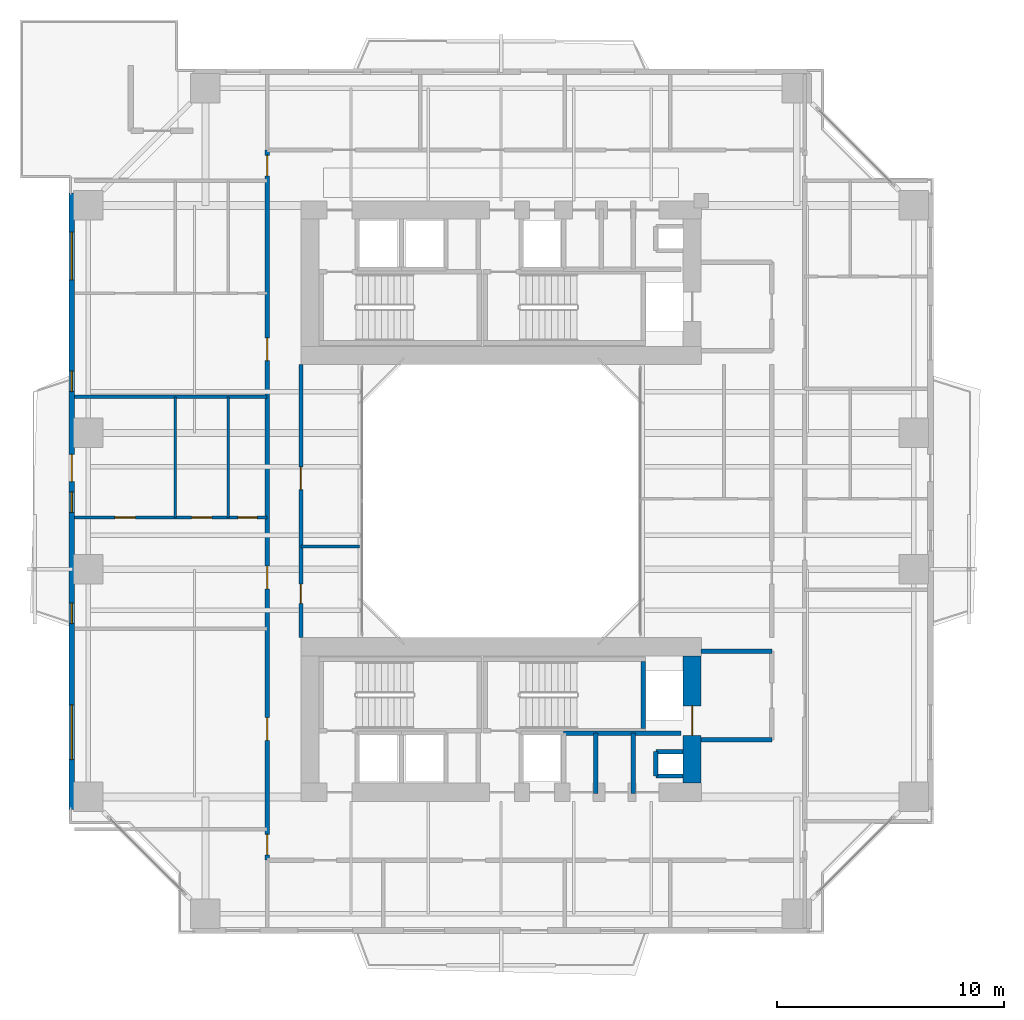
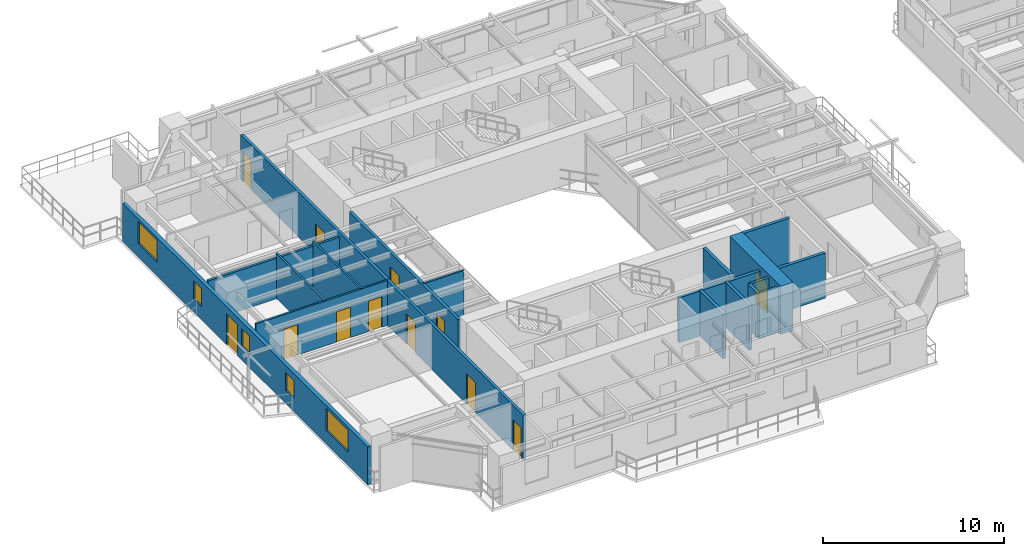
# One storey, part 13 of 24: 18 walls, 12 doors, 5 windows, 17 openings.
"""IFC4 building model written with IfcOpenShell, lengths in metres."""

from ifc_helpers import new_model, si_unit, direction, frame, frame_2d, origin, place, context, subcontext, project, spatial, rectangle, extrude, source, transform, mapped, material, layer, layer_set, type_object, element, fill, save


model = new_model("IFC4")

# Units and contexts
model_context = context("Model", 3, precision=1e-05, world=origin(), true_north=direction((0.0, 1.0)))
body_context = subcontext(model_context, "Body", "Model", "MODEL_VIEW")
ifc_project = project(units=[si_unit("LENGTHUNIT", "METRE"), si_unit("AREAUNIT", "SQUARE_METRE"), si_unit("VOLUMEUNIT", "CUBIC_METRE"), si_unit("PLANEANGLEUNIT", "RADIAN"), si_unit("MASSUNIT", "GRAM", prefix="KILO"), si_unit("THERMODYNAMICTEMPERATUREUNIT", "KELVIN"), si_unit("POWERUNIT", "WATT")], contexts=[model_context])

# Site, building, storey
site_placement = place(None, origin())
site = spatial("IfcSite", under=ifc_project, at=site_placement, CompositionType="ELEMENT")
building_placement = place(site_placement, origin())
building = spatial("IfcBuilding", under=site, at=building_placement, Name="Qiaomeng Ring Towers", CompositionType="ELEMENT")
storey_placement = place(building_placement, frame((0.0, 0.0, 42.5)))
storey = spatial("IfcBuildingStorey", under=building, at=storey_placement, Name="L11", CompositionType="ELEMENT", Elevation=42.5)

# Wall, openings, windows, door
ifc_material_1 = material(Name="Precast concrete C40", Category="concrete")
ifc_layer_1 = layer(ifc_material_1, 0.25, Name="Precast concrete C40")
ifc_layer_set_1 = layer_set([ifc_layer_1], Name="Precast concrete C40")
wall_type_1 = type_object("IfcWallType", Name="ARC-WL-EW1", PredefinedType="STANDARD", material=ifc_layer_set_1)
wall_1_placement = place(storey_placement, frame((0.125, 9.449951171875, 0.0), z_axis=(0.0, 0.0, 1.0), x_axis=(0.0, 1.0, 0.0)))
wall_1 = element("IfcWall", 1, at=wall_1_placement, inside=storey, type_object=wall_type_1, Name="L11 Tower 1 W Exterior Wall", PredefinedType="STANDARD", context=body_context, shape_type="SweptSolid", body=[
    extrude(rectangle(XDim=27.10009765625, YDim=0.25, at=frame_2d((13.550048828125, 0.0))), origin(), (0.0, 0.0, 1.0), 2.570068359375),
])
opening_1_placement = place(wall_1_placement, frame((14.39990234375, 0.0, 0.0)))
opening_1 = element("IfcOpeningElement", 2, at=opening_1_placement, cuts=wall_1, Name="Opening BD1", PredefinedType="OPENING", context=body_context, shape_type="SweptSolid", body=[
    extrude(rectangle(XDim=1.199951171875, YDim=2.10009765625, at=frame_2d((0.60009765625, 1.050048828125))), frame((0.0, 0.135009765625, 0.0), z_axis=(0.0, -1.0, 0.0), x_axis=(1.0, 0.0, 0.0)), (0.0, 0.0, 1.0), 0.27001953125),
])
opening_2_placement = place(wall_1_placement, frame((2.18798828125, 0.0, 0.89990234375)))
opening_2 = element("IfcOpeningElement", 3, at=opening_2_placement, cuts=wall_1, Name="Opening WN6", PredefinedType="OPENING", context=body_context, shape_type="SweptSolid", body=[
    extrude(rectangle(XDim=2.39990234375, YDim=1.47998046875, at=frame_2d((1.199951171875, 0.739990234375))), frame((0.0, 0.135009765625, 0.0), z_axis=(0.0, -1.0, 0.0), x_axis=(1.0, 0.0, 0.0)), (0.0, 0.0, 1.0), 0.27001953125),
])
opening_3_placement = place(wall_1_placement, frame((23.2724609375, 0.0, 0.89990234375)))
opening_3 = element("IfcOpeningElement", 4, at=opening_3_placement, cuts=wall_1, Name="Opening WN4", PredefinedType="OPENING", context=body_context, shape_type="SweptSolid", body=[
    extrude(rectangle(XDim=2.10009765625, YDim=1.5, at=frame_2d((1.050048828125, 0.75))), frame((0.0, 0.135009765625, 0.0), z_axis=(0.0, -1.0, 0.0), x_axis=(1.0, 0.0, 0.0)), (0.0, 0.0, 1.0), 0.27001953125),
])
opening_4_placement = place(wall_1_placement, frame((13.050048828125, 0.0, 0.89990234375)))
opening_4 = element("IfcOpeningElement", 5, at=opening_4_placement, cuts=wall_1, Name="Opening WN5", PredefinedType="OPENING", context=body_context, shape_type="SweptSolid", body=[
    extrude(rectangle(XDim=0.89990234375, YDim=1.199951171875, at=frame_2d((0.449951171875, 0.60009765625))), frame((0.0, 0.135009765625, 0.0), z_axis=(0.0, -1.0, 0.0), x_axis=(1.0, 0.0, 0.0)), (0.0, 0.0, 1.0), 0.27001953125),
])
opening_5_placement = place(wall_1_placement, frame((8.1650390625, 0.0, 0.89990234375)))
opening_5 = element("IfcOpeningElement", 6, at=opening_5_placement, cuts=wall_1, Name="Opening WN5", PredefinedType="OPENING", context=body_context, shape_type="SweptSolid", body=[
    extrude(rectangle(XDim=0.89990234375, YDim=1.199951171875, at=frame_2d((0.449951171875, 0.60009765625))), frame((0.0, 0.135009765625, 0.0), z_axis=(0.0, -1.0, 0.0), x_axis=(1.0, 0.0, 0.0)), (0.0, 0.0, 1.0), 0.27001953125),
])
opening_6_placement = place(wall_1_placement, frame((18.364990234375, 0.0, 0.89990234375)))
opening_6 = element("IfcOpeningElement", 7, at=opening_6_placement, cuts=wall_1, Name="Opening WN5", PredefinedType="OPENING", context=body_context, shape_type="SweptSolid", body=[
    extrude(rectangle(XDim=0.89990234375, YDim=1.199951171875, at=frame_2d((0.449951171875, 0.60009765625))), frame((0.0, 0.135009765625, 0.0), z_axis=(0.0, -1.0, 0.0), x_axis=(1.0, 0.0, 0.0)), (0.0, 0.0, 1.0), 0.27001953125),
])
ifc_material_2 = material(Name="Low-E dark-grey laminated double glazing", Category="glass")
window_type_1 = type_object("IfcWindowType", Name="ARC-WN-4", PartitioningType="TRIPLE_PANEL_VERTICAL", PredefinedType="WINDOW", material=ifc_material_2)
shared_shape_1 = source(origin(), body_context, "Body", "SweptSolid", [
    extrude(rectangle(XDim=2.10009765625, YDim=1.5, at=frame_2d((1.050048828125, 0.75))), frame((0.0, 0.030029296875, 0.0), z_axis=(0.0, -1.0, 0.0), x_axis=(1.0, 0.0, 0.0)), (0.0, 0.0, 1.0), 0.06005859375),
])
window_1_placement = place(opening_3_placement, origin())
window_1 = element("IfcWindow", 8, at=window_1_placement, inside=storey, type_object=window_type_1, Name="L11 Exterior Window WN4", OverallHeight=1.5, OverallWidth=2.10009765625, PartitioningType="TRIPLE_PANEL_VERTICAL", PredefinedType="WINDOW", context=body_context, shape_type="MappedRepresentation", body=[
    mapped(shared_shape_1, transform((0.0, 0.0, 0.0), x_axis=(1.0, 0.0, 0.0), y_axis=(0.0, 1.0, 0.0), z_axis=(0.0, 0.0, 1.0), scale=1.0)),
])
fill(opening_3, window_1)
window_type_2 = type_object("IfcWindowType", Name="ARC-WN-6", PartitioningType="TRIPLE_PANEL_VERTICAL", PredefinedType="WINDOW", material=ifc_material_2)
shared_shape_2 = source(origin(), body_context, "Body", "SweptSolid", [
    extrude(rectangle(XDim=2.39990234375, YDim=1.47998046875, at=frame_2d((1.199951171875, 0.739990234375))), frame((0.0, 0.030029296875, 0.0), z_axis=(0.0, -1.0, 0.0), x_axis=(1.0, 0.0, 0.0)), (0.0, 0.0, 1.0), 0.06005859375),
])
window_2_placement = place(opening_2_placement, origin())
window_2 = element("IfcWindow", 9, at=window_2_placement, inside=storey, type_object=window_type_2, Name="L11 Exterior Window WN6", OverallHeight=1.47998046875, OverallWidth=2.39990234375, PartitioningType="TRIPLE_PANEL_VERTICAL", PredefinedType="WINDOW", context=body_context, shape_type="MappedRepresentation", body=[
    mapped(shared_shape_2, transform((0.0, 0.0, 0.0), x_axis=(1.0, 0.0, 0.0), y_axis=(0.0, 1.0, 0.0), z_axis=(0.0, 0.0, 1.0), scale=1.0)),
])
fill(opening_2, window_2)
door_type_1 = type_object("IfcDoorType", Name="ARC-DR-BD1", OperationType="NOTDEFINED", PredefinedType="DOOR", material=ifc_material_2)
shared_shape_3 = source(origin(), body_context, "Body", "SweptSolid", [
    extrude(rectangle(XDim=1.199951171875, YDim=2.10009765625, at=frame_2d((0.60009765625, 1.050048828125))), frame((0.0, 0.02490234375, 0.0), z_axis=(0.0, -1.0, 0.0), x_axis=(1.0, 0.0, 0.0)), (0.0, 0.0, 1.0), 0.050048828125),
])
door_1_placement = place(opening_1_placement, frame((1.199951171875, 0.0, 0.0), z_axis=(0.0, 0.0, 1.0), x_axis=(-1.0, 0.0, 0.0)))
door_1 = element("IfcDoor", 10, at=door_1_placement, inside=storey, type_object=door_type_1, Name="L11 W Balcony Glazed Door", OperationType="SINGLE_SWING_LEFT", OverallHeight=2.10009765625, OverallWidth=1.199951171875, PredefinedType="DOOR", context=body_context, shape_type="MappedRepresentation", body=[
    mapped(shared_shape_3, transform((0.0, 0.0, 0.0), x_axis=(1.0, 0.0, 0.0), y_axis=(0.0, 1.0, 0.0), z_axis=(0.0, 0.0, 1.0), scale=1.0)),
])
fill(opening_1, door_1)
window_type_3 = type_object("IfcWindowType", Name="ARC-WN-5", PartitioningType="SINGLE_PANEL", PredefinedType="WINDOW", material=ifc_material_2)
shared_shape_4 = source(origin(), body_context, "Body", "SweptSolid", [
    extrude(rectangle(XDim=0.89990234375, YDim=1.199951171875, at=frame_2d((0.449951171875, 0.60009765625))), frame((0.0, 0.030029296875, 0.0), z_axis=(0.0, -1.0, 0.0), x_axis=(1.0, 0.0, 0.0)), (0.0, 0.0, 1.0), 0.06005859375),
])
window_3_placement = place(opening_4_placement, origin())
window_3 = element("IfcWindow", 11, at=window_3_placement, inside=storey, type_object=window_type_3, Name="L11 Exterior Window WN5", OverallHeight=1.199951171875, OverallWidth=0.89990234375, PartitioningType="SINGLE_PANEL", PredefinedType="WINDOW", context=body_context, shape_type="MappedRepresentation", body=[
    mapped(shared_shape_4, transform((0.0, 0.0, 0.0), x_axis=(1.0, 0.0, 0.0), y_axis=(0.0, 1.0, 0.0), z_axis=(0.0, 0.0, 1.0), scale=1.0)),
])
fill(opening_4, window_3)
window_4_placement = place(opening_5_placement, origin())
window_4 = element("IfcWindow", 12, at=window_4_placement, inside=storey, type_object=window_type_3, Name="L11 Exterior Window WN5", OverallHeight=1.199951171875, OverallWidth=0.89990234375, PartitioningType="SINGLE_PANEL", PredefinedType="WINDOW", context=body_context, shape_type="MappedRepresentation", body=[
    mapped(shared_shape_4, transform((0.0, 0.0, 0.0), x_axis=(1.0, 0.0, 0.0), y_axis=(0.0, 1.0, 0.0), z_axis=(0.0, 0.0, 1.0), scale=1.0)),
])
fill(opening_5, window_4)
window_5_placement = place(opening_6_placement, origin())
window_5 = element("IfcWindow", 13, at=window_5_placement, inside=storey, type_object=window_type_3, Name="L11 Exterior Window WN5", OverallHeight=1.199951171875, OverallWidth=0.89990234375, PartitioningType="SINGLE_PANEL", PredefinedType="WINDOW", context=body_context, shape_type="MappedRepresentation", body=[
    mapped(shared_shape_4, transform((0.0, 0.0, 0.0), x_axis=(1.0, 0.0, 0.0), y_axis=(0.0, 1.0, 0.0), z_axis=(0.0, 0.0, 1.0), scale=1.0)),
])
fill(opening_6, window_5)

# Walls
ifc_material_3 = material(Name="Autoclaved aerated concrete block", Category="concrete")
ifc_layer_2 = layer(ifc_material_3, 0.199951171875, Name="Autoclaved aerated concrete block")
ifc_layer_set_2 = layer_set([ifc_layer_2], Name="Autoclaved aerated concrete block")
wall_type_2 = type_object("IfcWallType", Name="ARC-WL-PW1", PredefinedType="PARTITIONING", material=ifc_layer_set_2)
for number, where, z_axis, x_axis, name in (
    (14, (27.800048828125, 16.39990234375, 0.0), (0.0, 0.0, 1.0), (1.0, 0.0, 0.0), "L11 Interior Wall PW1"),
    (15, (27.800048828125, 12.5, 0.0), (0.0, 0.0, 1.0), (1.0, 0.0, 0.0), "L11 Interior Wall PW1"),
):
    element("IfcWall", number, at=place(storey_placement, frame(where, z_axis=z_axis, x_axis=x_axis)), inside=storey, type_object=wall_type_2, Name=name, PredefinedType="PARTITIONING", context=body_context, shape_type="SweptSolid", body=[
        extrude(rectangle(XDim=3.099853515625, YDim=0.199951171875, at=frame_2d((1.5498046875, 0.0))), origin(), (0.0, 0.0, 1.0), 3.030029296875),
    ])
for number, where, z_axis, x_axis, name in (
    (16, (24.820068359375, 10.14990234375, 0.0), (0.0, 0.0, 1.0), (0.0, 1.0, 0.0), "L11 Interior Wall PW1"),
    (17, (23.169921875, 10.14990234375, 0.0), (0.0, 0.0, 1.0), (0.0, 1.0, 0.0), "L11 Interior Wall PW1"),
):
    element("IfcWall", number, at=place(storey_placement, frame(where, z_axis=z_axis, x_axis=x_axis)), inside=storey, type_object=wall_type_2, Name=name, PredefinedType="PARTITIONING", context=body_context, shape_type="SweptSolid", body=[
        extrude(rectangle(XDim=2.650146484375, YDim=0.199951171875, at=frame_2d((1.3251953125, 0.0))), origin(), (0.0, 0.0, 1.0), 3.030029296875),
    ])
wall_2_placement = place(storey_placement, frame((21.75, 12.800048828125, 0.0), z_axis=(0.0, 0.0, 1.0), x_axis=(1.0, 0.0, 0.0)))
element("IfcWall", 18, at=wall_2_placement, inside=storey, type_object=wall_type_2, Name="L11 Interior Wall PW1", PredefinedType="PARTITIONING", context=body_context, shape_type="SweptSolid", body=[
    extrude(rectangle(XDim=5.169921875, YDim=0.199951171875, at=frame_2d((2.5849609375, 0.0))), origin(), (0.0, 0.0, 1.0), 3.030029296875),
])

# Wall, openings, doors
ifc_layer_3 = layer(ifc_material_3, 0.179931640625, Name="Autoclaved aerated concrete block")
ifc_layer_set_3 = layer_set([ifc_layer_3], Name="Autoclaved aerated concrete block")
wall_type_3 = type_object("IfcWallType", Name="ARC-WL-PW2", PredefinedType="PARTITIONING", material=ifc_layer_set_3)
wall_3_placement = place(storey_placement, frame((8.719970703125, 7.2099609375, 0.0), z_axis=(0.0, 0.0, 1.0), x_axis=(0.0, 1.0, 0.0)))
wall_3 = element("IfcWall", 19, at=wall_3_placement, inside=storey, type_object=wall_type_3, Name="L11 Interior Wall PW2", PredefinedType="PARTITIONING", context=body_context, shape_type="SweptSolid", body=[
    extrude(rectangle(XDim=31.22998046875, YDim=0.179931640625, at=frame_2d((15.614990234375, 0.0))), origin(), (0.0, 0.0, 1.0), 3.030029296875),
])
opening_7_placement = place(wall_3_placement, frame((30.090087890625, 0.0, 0.0)))
opening_7 = element("IfcOpeningElement", 20, at=opening_7_placement, cuts=wall_3, Name="Opening ID1", PredefinedType="OPENING", context=body_context, shape_type="SweptSolid", body=[
    extrude(rectangle(XDim=0.89990234375, YDim=2.050048828125, at=frame_2d((0.449951171875, 1.02490234375))), frame((0.0, 0.099853515625, 0.0), z_axis=(0.0, -1.0, 0.0), x_axis=(1.0, 0.0, 0.0)), (0.0, 0.0, 1.0), 0.199951171875),
])
opening_8_placement = place(wall_3_placement, frame((0.239990234375, 0.0, 0.0)))
opening_8 = element("IfcOpeningElement", 21, at=opening_8_placement, cuts=wall_3, Name="Opening ID1", PredefinedType="OPENING", context=body_context, shape_type="SweptSolid", body=[
    extrude(rectangle(XDim=0.89990234375, YDim=2.050048828125, at=frame_2d((0.449951171875, 1.02490234375))), frame((0.0, 0.099853515625, 0.0), z_axis=(0.0, -1.0, 0.0), x_axis=(1.0, 0.0, 0.0)), (0.0, 0.0, 1.0), 0.199951171875),
])
opening_9_placement = place(wall_3_placement, frame((5.264892578125, 0.0, 0.0)))
opening_9 = element("IfcOpeningElement", 22, at=opening_9_placement, cuts=wall_3, Name="Opening FD4", PredefinedType="OPENING", context=body_context, shape_type="SweptSolid", body=[
    extrude(rectangle(XDim=1.0, YDim=2.050048828125, at=frame_2d((0.5, 1.02490234375))), frame((0.0, 0.099853515625, 0.0), z_axis=(0.0, -1.0, 0.0), x_axis=(1.0, 0.0, 0.0)), (0.0, 0.0, 1.0), 0.199951171875),
])
opening_10_placement = place(wall_3_placement, frame((11.929931640625, 0.0, 0.0)))
opening_10 = element("IfcOpeningElement", 23, at=opening_10_placement, cuts=wall_3, Name="Opening FD4", PredefinedType="OPENING", context=body_context, shape_type="SweptSolid", body=[
    extrude(rectangle(XDim=1.0, YDim=2.050048828125, at=frame_2d((0.5, 1.02490234375))), frame((0.0, 0.099853515625, 0.0), z_axis=(0.0, -1.0, 0.0), x_axis=(1.0, 0.0, 0.0)), (0.0, 0.0, 1.0), 0.199951171875),
])
opening_11_placement = place(wall_3_placement, frame((21.9599609375, 0.0, 0.0)))
opening_11 = element("IfcOpeningElement", 24, at=opening_11_placement, cuts=wall_3, Name="Opening FD4", PredefinedType="OPENING", context=body_context, shape_type="SweptSolid", body=[
    extrude(rectangle(XDim=1.0, YDim=2.050048828125, at=frame_2d((0.5, 1.02490234375))), frame((0.0, 0.099853515625, 0.0), z_axis=(0.0, -1.0, 0.0), x_axis=(1.0, 0.0, 0.0)), (0.0, 0.0, 1.0), 0.199951171875),
])
ifc_material_4 = material(Name="Engineered fire-rated oak timber", Category="wood")
door_type_2 = type_object("IfcDoorType", Name="ARC-DR-FD4", OperationType="NOTDEFINED", PredefinedType="DOOR", material=ifc_material_4)
shared_shape_5 = source(origin(), body_context, "Body", "SweptSolid", [
    extrude(rectangle(XDim=1.0, YDim=2.050048828125, at=frame_2d((0.5, 1.02490234375))), frame((0.0, 0.02490234375, 0.0), z_axis=(0.0, -1.0, 0.0), x_axis=(1.0, 0.0, 0.0)), (0.0, 0.0, 1.0), 0.050048828125),
])
door_2_placement = place(opening_9_placement, origin())
door_2 = element("IfcDoor", 25, at=door_2_placement, inside=storey, type_object=door_type_2, Name="L11 Door FD4", OperationType="SINGLE_SWING_LEFT", OverallHeight=2.050048828125, OverallWidth=1.0, PredefinedType="DOOR", context=body_context, shape_type="MappedRepresentation", body=[
    mapped(shared_shape_5, transform((0.0, 0.0, 0.0), x_axis=(1.0, 0.0, 0.0), y_axis=(0.0, 1.0, 0.0), z_axis=(0.0, 0.0, 1.0), scale=1.0)),
])
fill(opening_9, door_2)
door_3_placement = place(opening_10_placement, origin())
door_3 = element("IfcDoor", 26, at=door_3_placement, inside=storey, type_object=door_type_2, Name="L11 Door FD4", OperationType="SINGLE_SWING_LEFT", OverallHeight=2.050048828125, OverallWidth=1.0, PredefinedType="DOOR", context=body_context, shape_type="MappedRepresentation", body=[
    mapped(shared_shape_5, transform((0.0, 0.0, 0.0), x_axis=(1.0, 0.0, 0.0), y_axis=(0.0, 1.0, 0.0), z_axis=(0.0, 0.0, 1.0), scale=1.0)),
])
fill(opening_10, door_3)
door_4_placement = place(opening_11_placement, origin())
door_4 = element("IfcDoor", 27, at=door_4_placement, inside=storey, type_object=door_type_2, Name="L11 Door FD4", OperationType="SINGLE_SWING_LEFT", OverallHeight=2.050048828125, OverallWidth=1.0, PredefinedType="DOOR", context=body_context, shape_type="MappedRepresentation", body=[
    mapped(shared_shape_5, transform((0.0, 0.0, 0.0), x_axis=(1.0, 0.0, 0.0), y_axis=(0.0, 1.0, 0.0), z_axis=(0.0, 0.0, 1.0), scale=1.0)),
])
fill(opening_11, door_4)
ifc_material_5 = material(Name="Engineered oak timber", Category="wood")
door_type_3 = type_object("IfcDoorType", Name="ARC-DR-ID1", OperationType="NOTDEFINED", PredefinedType="DOOR", material=ifc_material_5)
shared_shape_6 = source(origin(), body_context, "Body", "SweptSolid", [
    extrude(rectangle(XDim=0.89990234375, YDim=2.050048828125, at=frame_2d((0.449951171875, 1.02490234375))), frame((0.0, 0.02490234375, 0.0), z_axis=(0.0, -1.0, 0.0), x_axis=(1.0, 0.0, 0.0)), (0.0, 0.0, 1.0), 0.050048828125),
])
door_5_placement = place(opening_7_placement, origin())
door_5 = element("IfcDoor", 28, at=door_5_placement, inside=storey, type_object=door_type_3, Name="L11 Door ID1", OperationType="SINGLE_SWING_LEFT", OverallHeight=2.050048828125, OverallWidth=0.89990234375, PredefinedType="DOOR", context=body_context, shape_type="MappedRepresentation", body=[
    mapped(shared_shape_6, transform((0.0, 0.0, 0.0), x_axis=(1.0, 0.0, 0.0), y_axis=(0.0, 1.0, 0.0), z_axis=(0.0, 0.0, 1.0), scale=1.0)),
])
fill(opening_7, door_5)
door_6_placement = place(opening_8_placement, origin())
door_6 = element("IfcDoor", 29, at=door_6_placement, inside=storey, type_object=door_type_3, Name="L11 Door ID1", OperationType="SINGLE_SWING_RIGHT", OverallHeight=2.050048828125, OverallWidth=0.89990234375, PredefinedType="DOOR", context=body_context, shape_type="MappedRepresentation", body=[
    mapped(shared_shape_6, transform((0.0, 0.0, 0.0), x_axis=(1.0, 0.0, 0.0), y_axis=(0.0, 1.0, 0.0), z_axis=(0.0, 0.0, 1.0), scale=1.0)),
])
fill(opening_8, door_6)

wall_4_placement = place(storey_placement, frame((10.199951171875, 17.0, 0.0), z_axis=(0.0, 0.0, 1.0), x_axis=(0.0, 1.0, 0.0)))
wall_4 = element("IfcWall", 30, at=wall_4_placement, inside=storey, type_object=wall_type_3, Name="L11 Interior Wall PW2", PredefinedType="PARTITIONING", context=body_context, shape_type="SweptSolid", body=[
    extrude(rectangle(XDim=12.0, YDim=0.179931640625, at=frame_2d((6.0, 0.0))), origin(), (0.0, 0.0, 1.0), 3.030029296875),
])
opening_12_placement = place(wall_4_placement, frame((1.5, 0.0, 0.0)))
opening_12 = element("IfcOpeningElement", 31, at=opening_12_placement, cuts=wall_4, Name="Opening ID2", PredefinedType="OPENING", context=body_context, shape_type="SweptSolid", body=[
    extrude(rectangle(XDim=0.85009765625, YDim=2.050048828125, at=frame_2d((0.425048828125, 1.02490234375))), frame((0.0, 0.099853515625, 0.0), z_axis=(0.0, -1.0, 0.0), x_axis=(1.0, 0.0, 0.0)), (0.0, 0.0, 1.0), 0.199951171875),
])
opening_13_placement = place(wall_4_placement, frame((6.5, 0.0, 0.0)))
opening_13 = element("IfcOpeningElement", 32, at=opening_13_placement, cuts=wall_4, Name="Opening FD4", PredefinedType="OPENING", context=body_context, shape_type="SweptSolid", body=[
    extrude(rectangle(XDim=1.0, YDim=2.050048828125, at=frame_2d((0.5, 1.02490234375))), frame((0.0, 0.099853515625, 0.0), z_axis=(0.0, -1.0, 0.0), x_axis=(1.0, 0.0, 0.0)), (0.0, 0.0, 1.0), 0.199951171875),
])
door_7_placement = place(opening_13_placement, origin())
door_7 = element("IfcDoor", 33, at=door_7_placement, inside=storey, type_object=door_type_2, Name="L11 Door FD4", OperationType="SINGLE_SWING_LEFT", OverallHeight=2.050048828125, OverallWidth=1.0, PredefinedType="DOOR", context=body_context, shape_type="MappedRepresentation", body=[
    mapped(shared_shape_5, transform((0.0, 0.0, 0.0), x_axis=(1.0, 0.0, 0.0), y_axis=(0.0, 1.0, 0.0), z_axis=(0.0, 0.0, 1.0), scale=1.0)),
])
fill(opening_13, door_7)
ifc_material_6 = material(Name="Moisture-resistant engineered timber", Category="wood")
door_type_4 = type_object("IfcDoorType", Name="ARC-DR-ID2", OperationType="NOTDEFINED", PredefinedType="DOOR", material=ifc_material_6)
shared_shape_7 = source(origin(), body_context, "Body", "SweptSolid", [
    extrude(rectangle(XDim=0.85009765625, YDim=2.050048828125, at=frame_2d((0.425048828125, 1.02490234375))), frame((0.0, 0.02490234375, 0.0), z_axis=(0.0, -1.0, 0.0), x_axis=(1.0, 0.0, 0.0)), (0.0, 0.0, 1.0), 0.050048828125),
])
door_8_placement = place(opening_12_placement, origin())
door_8 = element("IfcDoor", 34, at=door_8_placement, inside=storey, type_object=door_type_4, Name="L11 Door ID2", OperationType="SINGLE_SWING_RIGHT", OverallHeight=2.050048828125, OverallWidth=0.85009765625, PredefinedType="DOOR", context=body_context, shape_type="MappedRepresentation", body=[
    mapped(shared_shape_7, transform((0.0, 0.0, 0.0), x_axis=(1.0, 0.0, 0.0), y_axis=(0.0, 1.0, 0.0), z_axis=(0.0, 0.0, 1.0), scale=1.0)),
])
fill(opening_12, door_8)

# Wall
ifc_material_7 = material(Name="Gypsum fireboard steel-stud partition", Category="steel")
ifc_layer_4 = layer(ifc_material_7, 0.14990234375, Name="Gypsum fireboard steel-stud partition")
ifc_layer_set_4 = layer_set([ifc_layer_4], Name="Gypsum fireboard steel-stud partition")
wall_type_4 = type_object("IfcWallType", Name="ARC-WL-PW3", PredefinedType="PARTITIONING", material=ifc_layer_set_4)
wall_5_placement = place(storey_placement, frame((0.25, 27.580078125, 0.0), z_axis=(0.0, 0.0, 1.0), x_axis=(1.0, 0.0, 0.0)))
element("IfcWall", 35, at=wall_5_placement, inside=storey, type_object=wall_type_4, Name="L11 Interior Wall PW3", PredefinedType="PARTITIONING", context=body_context, shape_type="SweptSolid", body=[
    extrude(rectangle(XDim=8.469970703125, YDim=0.14990234375, at=frame_2d((4.23486328125, 0.0))), origin(), (0.0, 0.0, 1.0), 2.73095703125),
])

# Wall, openings, doors
ifc_material_8 = material(Name="Moisture-resistant gypsum steel-stud partition", Category="steel")
ifc_layer_5 = layer(ifc_material_8, 0.1201171875, Name="Moisture-resistant gypsum steel-stud partition")
ifc_layer_set_5 = layer_set([ifc_layer_5], Name="Moisture-resistant gypsum steel-stud partition")
wall_type_5 = type_object("IfcWallType", Name="ARC-WL-PW4", PredefinedType="PLUMBINGWALL", material=ifc_layer_set_5)
wall_6_placement = place(storey_placement, frame((0.25, 22.280029296875, 0.0), z_axis=(0.0, 0.0, 1.0), x_axis=(1.0, 0.0, 0.0)))
wall_6 = element("IfcWall", 36, at=wall_6_placement, inside=storey, type_object=wall_type_5, Name="L11 Interior Wall PW4", PredefinedType="PLUMBINGWALL", context=body_context, shape_type="SweptSolid", body=[
    extrude(rectangle(XDim=8.469970703125, YDim=0.1201171875, at=frame_2d((4.23486328125, 0.0))), origin(), (0.0, 0.0, 1.0), 3.030029296875),
])
opening_14_placement = place(wall_6_placement, frame((1.77490234375, 0.0, 0.0)))
opening_14 = element("IfcOpeningElement", 37, at=opening_14_placement, cuts=wall_6, Name="Opening ID1", PredefinedType="OPENING", context=body_context, shape_type="SweptSolid", body=[
    extrude(rectangle(XDim=0.89990234375, YDim=2.050048828125, at=frame_2d((0.449951171875, 1.02490234375))), frame((0.0, 0.070068359375, 0.0), z_axis=(0.0, -1.0, 0.0), x_axis=(1.0, 0.0, 0.0)), (0.0, 0.0, 1.0), 0.14013671875),
])
opening_15_placement = place(wall_6_placement, frame((5.139892578125, 0.0, 0.0)))
opening_15 = element("IfcOpeningElement", 38, at=opening_15_placement, cuts=wall_6, Name="Opening ID1", PredefinedType="OPENING", context=body_context, shape_type="SweptSolid", body=[
    extrude(rectangle(XDim=0.89990234375, YDim=2.050048828125, at=frame_2d((0.449951171875, 1.02490234375))), frame((0.0, 0.070068359375, 0.0), z_axis=(0.0, -1.0, 0.0), x_axis=(1.0, 0.0, 0.0)), (0.0, 0.0, 1.0), 0.14013671875),
])
opening_16_placement = place(wall_6_placement, frame((7.175048828125, 0.0, 0.0)))
opening_16 = element("IfcOpeningElement", 39, at=opening_16_placement, cuts=wall_6, Name="Opening ID2", PredefinedType="OPENING", context=body_context, shape_type="SweptSolid", body=[
    extrude(rectangle(XDim=0.85009765625, YDim=2.050048828125, at=frame_2d((0.425048828125, 1.02490234375))), frame((0.0, 0.070068359375, 0.0), z_axis=(0.0, -1.0, 0.0), x_axis=(1.0, 0.0, 0.0)), (0.0, 0.0, 1.0), 0.14013671875),
])
door_9_placement = place(opening_16_placement, origin())
door_9 = element("IfcDoor", 40, at=door_9_placement, inside=storey, type_object=door_type_4, Name="L11 Door ID2", OperationType="SINGLE_SWING_RIGHT", OverallHeight=2.050048828125, OverallWidth=0.85009765625, PredefinedType="DOOR", context=body_context, shape_type="MappedRepresentation", body=[
    mapped(shared_shape_7, transform((0.0, 0.0, 0.0), x_axis=(1.0, 0.0, 0.0), y_axis=(0.0, 1.0, 0.0), z_axis=(0.0, 0.0, 1.0), scale=1.0)),
])
fill(opening_16, door_9)
door_10_placement = place(opening_14_placement, origin())
door_10 = element("IfcDoor", 41, at=door_10_placement, inside=storey, type_object=door_type_3, Name="L11 Door ID1", OperationType="SINGLE_SWING_RIGHT", OverallHeight=2.050048828125, OverallWidth=0.89990234375, PredefinedType="DOOR", context=body_context, shape_type="MappedRepresentation", body=[
    mapped(shared_shape_6, transform((0.0, 0.0, 0.0), x_axis=(1.0, 0.0, 0.0), y_axis=(0.0, 1.0, 0.0), z_axis=(0.0, 0.0, 1.0), scale=1.0)),
])
fill(opening_14, door_10)
door_11_placement = place(opening_15_placement, origin())
door_11 = element("IfcDoor", 42, at=door_11_placement, inside=storey, type_object=door_type_3, Name="L11 Door ID1", OperationType="SINGLE_SWING_LEFT", OverallHeight=2.050048828125, OverallWidth=0.89990234375, PredefinedType="DOOR", context=body_context, shape_type="MappedRepresentation", body=[
    mapped(shared_shape_6, transform((0.0, 0.0, 0.0), x_axis=(1.0, 0.0, 0.0), y_axis=(0.0, 1.0, 0.0), z_axis=(0.0, 0.0, 1.0), scale=1.0)),
])
fill(opening_15, door_11)

# Walls
for number, where, z_axis, x_axis, name in (
    (43, (4.679931640625, 22.280029296875, 0.0), (0.0, 0.0, 1.0), (0.0, 1.0, 0.0), "L11 Interior Wall PW4"),
    (44, (7.0, 22.280029296875, 0.0), (0.0, 0.0, 1.0), (0.0, 1.0, 0.0), "L11 Interior Wall PW4"),
):
    element("IfcWall", number, at=place(storey_placement, frame(where, z_axis=z_axis, x_axis=x_axis)), inside=storey, type_object=wall_type_5, Name=name, PredefinedType="PLUMBINGWALL", context=body_context, shape_type="SweptSolid", body=[
        extrude(rectangle(XDim=5.300048828125, YDim=0.1201171875, at=frame_2d((2.64990234375, 0.0))), origin(), (0.0, 0.0, 1.0), 3.030029296875),
    ])
wall_7_placement = place(storey_placement, frame((10.199951171875, 21.0, 0.0), z_axis=(0.0, 0.0, 1.0), x_axis=(1.0, 0.0, 0.0)))
element("IfcWall", 45, at=wall_7_placement, inside=storey, type_object=wall_type_5, Name="L11 Interior Wall PW4", PredefinedType="PLUMBINGWALL", context=body_context, shape_type="SweptSolid", body=[
    extrude(rectangle(XDim=2.580078125, YDim=0.1201171875, at=frame_2d((1.2900390625, 0.0))), origin(), (0.0, 0.0, 1.0), 3.030029296875),
])
ifc_material_9 = material(Name="Concrete C40", Category="concrete")
ifc_layer_6 = layer(ifc_material_9, 0.199951171875, Name="Concrete C40")
ifc_layer_set_6 = layer_set([ifc_layer_6], Name="Concrete C40")
wall_type_6 = type_object("IfcWallType", Name="STR-WL-STSHAFT", PredefinedType="SHEAR", material=ifc_layer_set_6)
wall_8_placement = place(storey_placement, frame((25.800048828125, 10.919921875, 0.0), z_axis=(0.0, 0.0, 1.0), x_axis=(0.0, 1.0, 0.0)))
element("IfcWall", 46, at=wall_8_placement, inside=storey, type_object=wall_type_6, Name="L11 Riser RSR1 West Shaft Wall S", PredefinedType="SHEAR", context=body_context, shape_type="SweptSolid", body=[
    extrude(rectangle(XDim=1.06005859375, YDim=0.179931640625, at=frame_2d((0.530029296875, 0.0))), origin(), (0.0, 0.0, 1.0), 3.030029296875),
])
for number, where, z_axis, x_axis, name in (
    (47, (25.800048828125, 11.97998046875, 0.0), (0.0, 0.0, 1.0), (1.0, 0.0, 0.0), "L11 Riser RSR1 North Shaft Wall S"),
    (48, (25.800048828125, 10.919921875, 0.0), (0.0, 0.0, 1.0), (1.0, 0.0, 0.0), "L11 Riser RSR1 South Shaft Wall S"),
):
    element("IfcWall", number, at=place(storey_placement, frame(where, z_axis=z_axis, x_axis=x_axis)), inside=storey, type_object=wall_type_6, Name=name, PredefinedType="SHEAR", context=body_context, shape_type="SweptSolid", body=[
        extrude(rectangle(XDim=1.199951171875, YDim=0.179931640625, at=frame_2d((0.60009765625, 0.0))), origin(), (0.0, 0.0, 1.0), 3.030029296875),
    ])
wall_9_placement = place(storey_placement, frame((25.25, 13.010009765625, 0.0), z_axis=(0.0, 0.0, 1.0), x_axis=(0.0, 1.0, 0.0)))
element("IfcWall", 49, at=wall_9_placement, inside=storey, type_object=wall_type_6, Name="L11 Stair ST4 East Shaft Shear Wall", PredefinedType="SHEAR", context=body_context, shape_type="SweptSolid", body=[
    extrude(rectangle(XDim=2.93994140625, YDim=0.199951171875, at=frame_2d((1.469970703125, 0.0))), origin(), (0.0, 0.0, 1.0), 3.25),
])

# Wall, opening, door
ifc_material_10 = material(Name="Concrete C60", Category="concrete")
ifc_layer_7 = layer(ifc_material_10, 0.800048828125, Name="Concrete C60")
ifc_layer_set_7 = layer_set([ifc_layer_7], Name="Concrete C60")
wall_type_7 = type_object("IfcWallType", Name="STR-WL-SW1", PredefinedType="SHEAR", material=ifc_layer_set_7)
wall_10_placement = place(storey_placement, frame((27.39990234375, 10.60009765625, 0.0), z_axis=(0.0, 0.0, 1.0), x_axis=(0.0, 1.0, 0.0)))
wall_10 = element("IfcWall", 50, at=wall_10_placement, inside=storey, type_object=wall_type_7, Name="L11 T1SC east core shear wall", PredefinedType="SHEAR", context=body_context, shape_type="SweptSolid", body=[
    extrude(rectangle(XDim=5.599853515625, YDim=0.800048828125, at=frame_2d((2.7998046875, 0.0))), origin(), (0.0, 0.0, 1.0), 3.25),
])
opening_17_placement = place(wall_10_placement, frame((2.10009765625, 0.0, 0.0)))
opening_17 = element("IfcOpeningElement", 51, at=opening_17_placement, cuts=wall_10, Name="Opening LD2", PredefinedType="OPENING", context=body_context, shape_type="SweptSolid", body=[
    extrude(rectangle(XDim=1.300048828125, YDim=2.050048828125, at=frame_2d((0.64990234375, 1.02490234375))), frame((0.0, 0.409912109375, 0.0), z_axis=(0.0, -1.0, 0.0), x_axis=(1.0, 0.0, 0.0)), (0.0, 0.0, 1.0), 0.820068359375),
])
ifc_material_11 = material(Name="Stainless steel 316", Category="steel")
door_type_5 = type_object("IfcDoorType", Name="ARC-DR-LD2", OperationType="NOTDEFINED", PredefinedType="DOOR", material=ifc_material_11)
shared_shape_8 = source(origin(), body_context, "Body", "SweptSolid", [
    extrude(rectangle(XDim=1.300048828125, YDim=2.050048828125, at=frame_2d((0.64990234375, 1.02490234375))), frame((0.0, 0.02490234375, 0.0), z_axis=(0.0, -1.0, 0.0), x_axis=(1.0, 0.0, 0.0)), (0.0, 0.0, 1.0), 0.050048828125),
])
door_12_placement = place(opening_17_placement, origin())
door_12 = element("IfcDoor", 52, at=door_12_placement, inside=storey, type_object=door_type_5, Name="L11 Firefighting Lift FL2 Landing Door", OperationType="SLIDING_TO_RIGHT", OverallHeight=2.050048828125, OverallWidth=1.300048828125, PredefinedType="DOOR", context=body_context, shape_type="MappedRepresentation", body=[
    mapped(shared_shape_8, transform((0.0, 0.0, 0.0), x_axis=(1.0, 0.0, 0.0), y_axis=(0.0, 1.0, 0.0), z_axis=(0.0, 0.0, 1.0), scale=1.0)),
])
fill(opening_17, door_12)

save(model, "model.ifc")
